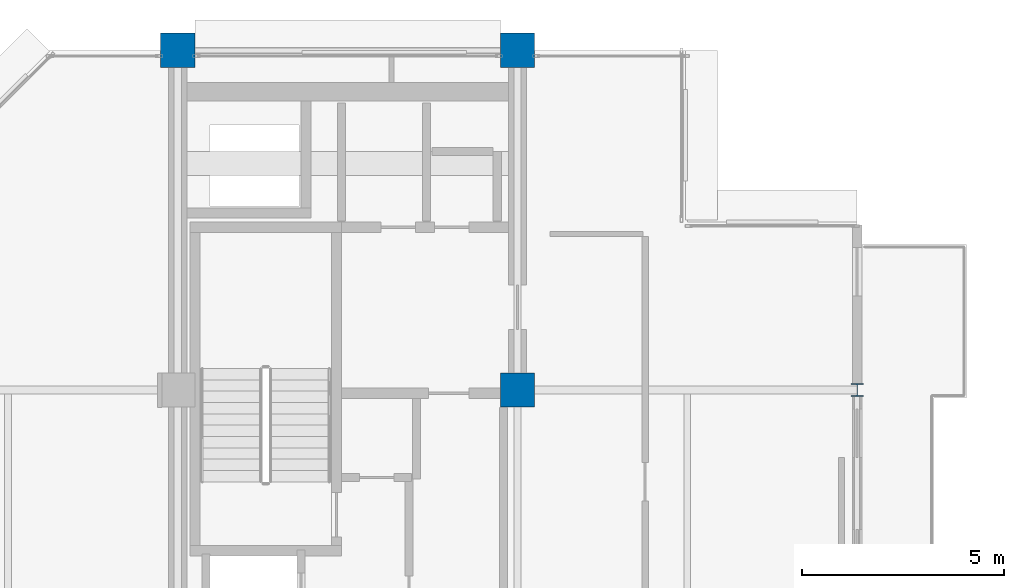
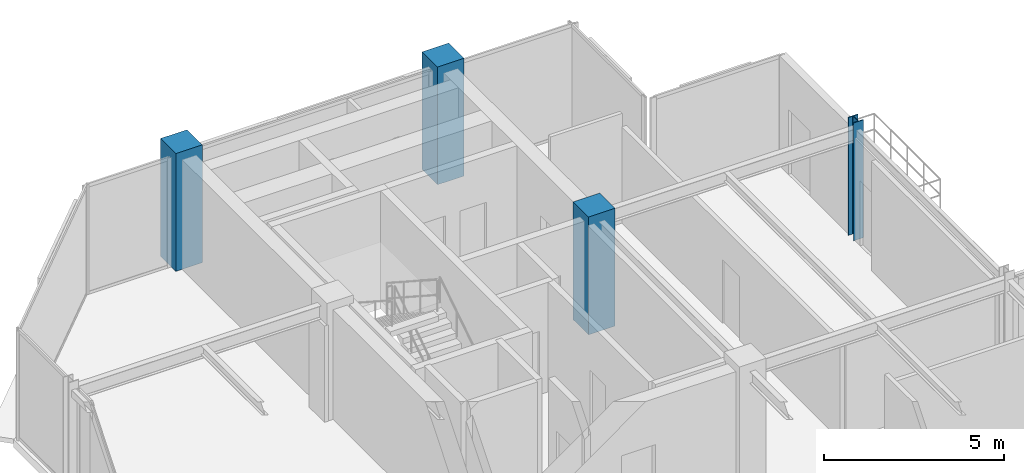
# One storey, part 2 of 25: 4 columns.
"""IFC4 building model written with IfcOpenShell, lengths in metres."""

from ifc_helpers import new_model, si_unit, direction, frame, origin, origin_2d, place, context, subcontext, project, spatial, rectangle, i_section, extrude, material, material_profile, profile_set, type_object, element, save


model = new_model("IFC4")

# Units and contexts
model_context = context("Model", 3, precision=1e-05, world=origin(), true_north=direction((0.0, 1.0)))
body_context = subcontext(model_context, "Body", "Model", "MODEL_VIEW")
ifc_project = project(units=[si_unit("LENGTHUNIT", "METRE"), si_unit("AREAUNIT", "SQUARE_METRE"), si_unit("VOLUMEUNIT", "CUBIC_METRE"), si_unit("PLANEANGLEUNIT", "RADIAN"), si_unit("MASSUNIT", "GRAM", prefix="KILO")], contexts=[model_context])

# Site, building, storey
site_placement = place(None, origin())
site = spatial("IfcSite", under=ifc_project, at=site_placement, CompositionType="ELEMENT")
building_placement = place(site_placement, origin())
building = spatial("IfcBuilding", under=site, at=building_placement, Name="Nerrivon Quay Data Exchange", CompositionType="ELEMENT")
storey_placement = place(building_placement, frame((0.0, 0.0, 314.199951171875)))
storey = spatial("IfcBuildingStorey", under=building, at=storey_placement, Name="L75", CompositionType="ELEMENT", Elevation=314.199951171875)

# Columns
ifc_material_1 = material(Name="Concrete N50 (50 MPa)", Category="concrete")
ifc_material_profile_1 = material_profile(ifc_material_1, rectangle(XDim=0.85009765625, YDim=0.85009765625, at=origin_2d()), Name="RC-COL-850x850")
ifc_profile_set_1 = profile_set([ifc_material_profile_1], Name="Concrete N50 (50 MPa)")
column_type_1 = type_object("IfcColumnType", Name="COL-C5-850", PredefinedType="COLUMN", material=ifc_profile_set_1)
for number, where, z_axis, x_axis, name in (
    (1, (8.39990234375, 42.0, 0.0), (0.0, 0.0, 1.0), (1.0, 0.0, 0.0), "L75 Column (8.4,42.0)"),
    (2, (16.800048828125, 33.60009765625, 0.0), (0.0, 0.0, 1.0), (1.0, 0.0, 0.0), "L75 Column (16.8,33.6)"),
    (3, (16.800048828125, 42.0, 0.0), (0.0, 0.0, 1.0), (1.0, 0.0, 0.0), "L75 Column (16.8,42.0)"),
):
    element("IfcColumn", number, at=place(storey_placement, frame(where, z_axis=z_axis, x_axis=x_axis)), inside=storey, type_object=column_type_1, Name=name, PredefinedType="COLUMN", context=body_context, shape_type="SweptSolid", body=[
        extrude(rectangle(XDim=0.85009765625, YDim=0.85009765625, at=origin_2d()), origin(), (0.0, 0.0, 1.0), 4.0),
    ])
ifc_material_2 = material(Name="Steel Grade 350", Category="steel")
ifc_material_profile_2 = material_profile(ifc_material_2, i_section(OverallWidth=0.31103515625, OverallDepth=0.326904296875, WebThickness=0.015625, FlangeThickness=0.02490234375, FilletRadius=0.0166015625, at=origin_2d()), Name="310UC158")
ifc_profile_set_2 = profile_set([ifc_material_profile_2], Name="Steel Grade 350")
column_type_2 = type_object("IfcColumnType", Name="COL-SC4-310UC158", PredefinedType="COLUMN", material=ifc_profile_set_2)
column_placement = place(storey_placement, frame((25.199951171875, 33.60009765625, 0.0), z_axis=(0.0, 0.0, 1.0), x_axis=(1.0, 0.0, 0.0)))
element("IfcColumn", 4, at=column_placement, inside=storey, type_object=column_type_2, Name="L75 Column (25.2,33.6)", PredefinedType="COLUMN", context=body_context, shape_type="SweptSolid", body=[
    extrude(i_section(OverallWidth=0.31103515625, OverallDepth=0.326904296875, WebThickness=0.015625, FlangeThickness=0.02490234375, FilletRadius=0.0166015625, at=origin_2d()), origin(), (0.0, 0.0, 1.0), 4.0),
])

save(model, "model.ifc")
